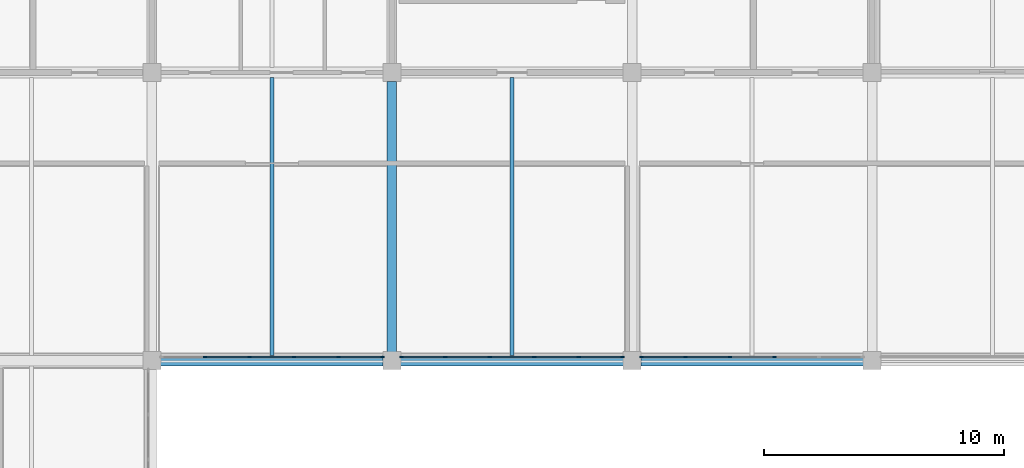
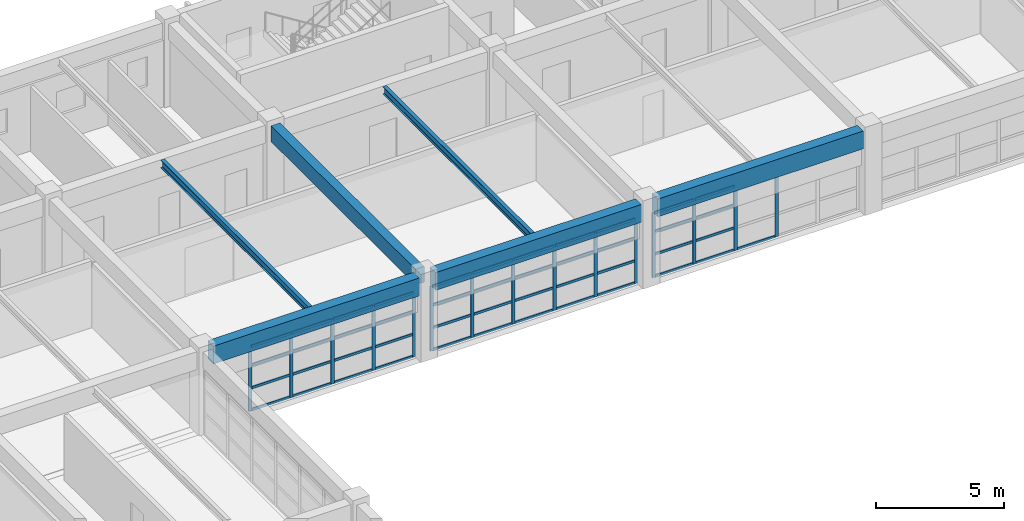
# One storey, part 38 of 83: 60 members, 6 beams, 3 elements without a shape of their own.
"""IFC4 building model written with IfcOpenShell, lengths in metres."""

import ifcopenshell
import ifcopenshell.guid

model = None  # the IFC model being written
_history = None  # IfcOwnerHistory: only IFC2X3 demands one
_inside = {}  # id of a spatial element -> (the spatial element, [elements in it])
_under = {}  # id of a project, library or spatial element -> (it, [spatial elements below it])
_declared = {}  # id of a project -> (the project, [libraries it declares])
_typed = {}  # id of a type object -> (the type object, [elements of that type])
_made_of = {}  # id of a material, layer set ... -> (it, [elements and type objects made of it])


def new_model(schema):
    """Start an empty IFC model of exactly this schema.

    Asked for "IFC4X3", IfcOpenShell would pick the latest addendum, in which some entities
    have other attributes; the version numbers below select the first issue.
    IFC2X3 requires an IfcOwnerHistory on every rooted entity: one is made here for all.
    """
    global model, _history
    if schema == "IFC4X3":
        model = ifcopenshell.file(schema_version=(4, 3, 0, 0))
    else:
        model = ifcopenshell.file(schema=schema)
    _inside.clear()
    _under.clear()
    _declared.clear()
    _typed.clear()
    _made_of.clear()
    _history = None
    if model.schema == "IFC2X3":
        org = make("IfcOrganization", Name="unknown")
        user = make(
            "IfcPersonAndOrganization",
            ThePerson=make("IfcPerson", FamilyName="unknown"),
            TheOrganization=org,
        )
        app = make(
            "IfcApplication",
            ApplicationDeveloper=org,
            Version="unknown",
            ApplicationFullName="unknown",
            ApplicationIdentifier="unknown",
        )
        _history = make(
            "IfcOwnerHistory",
            OwningUser=user,
            OwningApplication=app,
            ChangeAction="ADDED",
            CreationDate=0,
        )
    return model


def make(cls, **values):
    """One entity of the class cls with the attributes given. An attribute that is None is left unset."""
    return model.create_entity(
        cls, **{name: value for name, value in values.items() if value is not None}
    )


def rooted(cls, **values):
    """An entity with a GlobalId (a new one), such as an element, a storey or a relation."""
    return make(cls, GlobalId=ifcopenshell.guid.new(), OwnerHistory=_history, **values)


def si_unit(unit_type, name, prefix=None):
    """IfcSIUnit, for example si_unit("LENGTHUNIT", "METRE", prefix="MILLI")."""
    return make("IfcSIUnit", UnitType=unit_type, Prefix=prefix, Name=name)


def assignment(units):
    """IfcUnitAssignment: the units of a project."""
    return None if units is None else make("IfcUnitAssignment", Units=units)


def point(xyz):
    """IfcCartesianPoint."""
    return None if xyz is None else make("IfcCartesianPoint", Coordinates=xyz)


def direction(xyz):
    """IfcDirection."""
    return None if xyz is None else make("IfcDirection", DirectionRatios=xyz)


def frame(location, z_axis=None, x_axis=None):
    """IfcAxis2Placement3D, a coordinate frame: its origin and axes. An axis left out is left unset."""
    return make(
        "IfcAxis2Placement3D",
        Location=point(location),
        Axis=direction(z_axis),
        RefDirection=direction(x_axis),
    )


def frame_2d(location, x_axis=None):
    """IfcAxis2Placement2D, a coordinate frame in the plane: its origin and x axis."""
    return make(
        "IfcAxis2Placement2D", Location=point(location), RefDirection=direction(x_axis)
    )


def origin():
    """The frame at (0, 0, 0) with its axes left unset."""
    return frame((0.0, 0.0, 0.0))


def origin_2d():
    """The frame at (0, 0) in the plane with its x axis left unset."""
    return frame_2d((0.0, 0.0))


def place(relative_to, where):
    """IfcLocalPlacement: puts the frame where relative to a parent placement (None: the world)."""
    return make(
        "IfcLocalPlacement", PlacementRelTo=relative_to, RelativePlacement=where
    )


def context(
    kind, dimensions, precision=None, world=None, true_north=None, identifier=None
):
    """IfcGeometricRepresentationContext, for example the 3D "Model" context."""
    return make(
        "IfcGeometricRepresentationContext",
        ContextIdentifier=identifier,
        ContextType=kind,
        CoordinateSpaceDimension=dimensions,
        Precision=precision,
        WorldCoordinateSystem=world,
        TrueNorth=true_north,
    )


def subcontext(parent, identifier, kind, view, scale=None):
    """IfcGeometricRepresentationSubContext, for example "Body" below "Model"."""
    return make(
        "IfcGeometricRepresentationSubContext",
        ContextIdentifier=identifier,
        ContextType=kind,
        ParentContext=parent,
        TargetScale=scale,
        TargetView=view,
    )


def project(units=None, contexts=None):
    """IfcProject with its units and contexts."""
    return rooted(
        "IfcProject",
        Name="project",
        RepresentationContexts=contexts,
        UnitsInContext=assignment(units),
    )


def spatial(cls, under=None, at=None, **own):
    """A site, building, storey or space (cls), placed at a placement, below another one or the project."""
    s = rooted(cls, ObjectPlacement=at, **own)
    if under is not None:
        _under.setdefault(under.id(), (under, []))[1].append(s)
    return s


def profile(cls, at=None, kind="AREA", **sizes):
    """A parametric profile (cls). Its sizes go by their IFC names, for example OverallWidth=200.0."""
    return make(cls, ProfileType=kind, Position=at, **sizes)


def rectangle(**sizes):
    """IfcRectangleProfileDef."""
    return profile("IfcRectangleProfileDef", **sizes)


def i_section(**sizes):
    """IfcIShapeProfileDef."""
    return profile("IfcIShapeProfileDef", **sizes)


def extrude(swept, where, along, depth):
    """IfcExtrudedAreaSolid: the profile swept, set in the frame where, extruded along a direction by depth."""
    return make(
        "IfcExtrudedAreaSolid",
        SweptArea=swept,
        Position=where,
        ExtrudedDirection=direction(along),
        Depth=depth,
    )


def shape(context_of_items, identifier, shape_type, items):
    """IfcShapeRepresentation: the items that make up one representation, for example the "Body"."""
    return make(
        "IfcShapeRepresentation",
        ContextOfItems=context_of_items,
        RepresentationIdentifier=identifier,
        RepresentationType=shape_type,
        Items=items,
    )


def material(Name=None, Category=None):
    """IfcMaterial."""
    return make("IfcMaterial", Name=Name, Category=Category)


def layer(
    of_material, thickness, ventilated=None, Name=None, Category=None, Priority=None
):
    """IfcMaterialLayer: one layer of a wall or slab, of a material (None: an air gap)."""
    return make(
        "IfcMaterialLayer",
        Material=of_material,
        LayerThickness=thickness,
        IsVentilated=ventilated,
        Name=Name,
        Category=Category,
        Priority=Priority,
    )


def layer_set(layers, Name=None):
    """IfcMaterialLayerSet."""
    return make("IfcMaterialLayerSet", MaterialLayers=layers, LayerSetName=Name)


def material_profile(
    of_material, cross_section, Name=None, Category=None, Priority=None
):
    """IfcMaterialProfile: a cross section and its material."""
    return make(
        "IfcMaterialProfile",
        Name=Name,
        Material=of_material,
        Profile=cross_section,
        Priority=Priority,
        Category=Category,
    )


def profile_set(profiles, Name=None, composite=None):
    """IfcMaterialProfileSet."""
    return make(
        "IfcMaterialProfileSet",
        Name=Name,
        MaterialProfiles=profiles,
        CompositeProfile=composite,
    )


def made_of(thing, what):
    """Note that an element or type object is made of a material, layer set ...; save() writes the relation."""
    if what is not None:
        _made_of.setdefault(what.id(), (what, []))[1].append(thing)
    return thing


def type_object(cls, material=None, **own):
    """A type object (cls), such as IfcWallType, which elements share."""
    return made_of(rooted(cls, **own), material)


def element(
    cls,
    number,
    at=None,
    inside=None,
    cuts=None,
    type_object=None,
    material=None,
    context=None,
    identifier="Body",
    shape_type=None,
    held_by="IfcProductDefinitionShape",
    body=None,
    shapes=None,
    **own,
):
    """One element of the class cls, such as IfcWall. Its Tag is "e" and its number.

    at: its placement. inside: the storey or other place that contains it. cuts: it is an
    opening in that element (IfcRelVoidsElement). A single representation is given by context,
    identifier, shape_type and body (its items); several are given by shapes. held_by: the class
    of the entity that holds the representations. save() writes the other relations.
    """
    e = rooted(cls, Tag="e%d" % number, ObjectPlacement=at, **own)
    if body is not None:
        shapes = [shape(context, identifier, shape_type, body)]
    if shapes is not None:
        e.Representation = make(held_by, Representations=shapes)
    if inside is not None:
        _inside.setdefault(inside.id(), (inside, []))[1].append(e)
    if cuts is not None:
        rooted(
            "IfcRelVoidsElement", RelatingBuildingElement=cuts, RelatedOpeningElement=e
        )
    if type_object is not None:
        _typed.setdefault(type_object.id(), (type_object, []))[1].append(e)
    return made_of(e, material)


def aggregate(whole, parts):
    """IfcRelAggregates: a whole, such as a stair, and the parts it consists of."""
    return rooted("IfcRelAggregates", RelatingObject=whole, RelatedObjects=parts)


def save(model, path):
    """Write the relations noted so far, then the file.

    IfcRelAggregates (storeys below a building ...), IfcRelContainedInSpatialStructure (elements
    in a storey), IfcRelDefinesByType, IfcRelAssociatesMaterial and IfcRelDeclares: one each for
    every whole, place, type object, material and project.
    """
    for whole, parts in _under.values():
        aggregate(whole, parts)
    for where, things in _inside.values():
        rooted(
            "IfcRelContainedInSpatialStructure",
            RelatedElements=things,
            RelatingStructure=where,
        )
    for kind, things in _typed.values():
        rooted("IfcRelDefinesByType", RelatedObjects=things, RelatingType=kind)
    for what, things in _made_of.values():
        rooted("IfcRelAssociatesMaterial", RelatedObjects=things, RelatingMaterial=what)
    for by, libraries in _declared.values():
        rooted("IfcRelDeclares", RelatingContext=by, RelatedDefinitions=libraries)
    model.write(path)


model = new_model("IFC4")

# Units and contexts
model_context = context("Model", 3, precision=1e-05, world=origin(), true_north=direction((0.0, 1.0)))
body_context = subcontext(model_context, "Body", "Model", "MODEL_VIEW")
ifc_project = project(units=[si_unit("LENGTHUNIT", "METRE"), si_unit("AREAUNIT", "SQUARE_METRE"), si_unit("VOLUMEUNIT", "CUBIC_METRE"), si_unit("PLANEANGLEUNIT", "RADIAN"), si_unit("MASSUNIT", "GRAM", prefix="KILO")], contexts=[model_context])

# Site, building, storey
site_placement = place(None, origin())
site = spatial("IfcSite", under=ifc_project, at=site_placement, CompositionType="ELEMENT")
building_placement = place(site_placement, origin())
building = spatial("IfcBuilding", under=site, at=building_placement, Name="Kivolera Central Railway Station", CompositionType="ELEMENT")
storey_placement = place(building_placement, frame((0.0, 0.0, 14.39990234375)))
storey = spatial("IfcBuildingStorey", under=building, at=storey_placement, Name="L03", CompositionType="ELEMENT", Elevation=14.39990234375)

# Beams
ifc_material_1 = material(Name="Steel S355", Category="steel")
ifc_material_profile_1 = material_profile(ifc_material_1, i_section(OverallWidth=0.169921875, OverallDepth=0.360107421875, WebThickness=0.008056640625, FlangeThickness=0.0126953125, FilletRadius=0.01806640625, at=origin_2d()), Name="IPE 360")
ifc_profile_set_1 = profile_set([ifc_material_profile_1], Name="Steel S355")
beam_type_1 = type_object("IfcBeamType", Name="BM-JST-IPE360", PredefinedType="JOIST", material=ifc_profile_set_1)
for number, where, z_axis, x_axis, name in (
    (1, (143.0, 114.217041015625, 3.748046875), (0.0, 1.0, 0.0), (-1.0, 0.0, 0.0), "L03 Floor Joist 14-15/K-L"),
    (2, (153.0, 114.217041015625, 3.748046875), (0.0, 1.0, 0.0), (-1.0, 0.0, 0.0), "L03 Floor Joist 15-16/K-L"),
):
    element("IfcBeam", number, at=place(storey_placement, frame(where, z_axis=z_axis, x_axis=x_axis)), inside=storey, type_object=beam_type_1, Name=name, PredefinedType="JOIST", context=body_context, shape_type="SweptSolid", body=[
        extrude(i_section(OverallWidth=0.169921875, OverallDepth=0.360107421875, WebThickness=0.008056640625, FlangeThickness=0.0126953125, FilletRadius=0.01806640625, at=origin_2d()), origin(), (0.0, 0.0, 1.0), 11.56591796875),
    ])
ifc_material_2 = material(Name="Concrete C40/50", Category="concrete")
ifc_material_profile_2 = material_profile(ifc_material_2, rectangle(XDim=0.39990234375, YDim=0.75, at=origin_2d()), Name="RC 400x750")
ifc_profile_set_2 = profile_set([ifc_material_profile_2], Name="Concrete C40/50")
beam_type_2 = type_object("IfcBeamType", Name="BM-RC-400x750", PredefinedType="BEAM", material=ifc_profile_set_2)
beam_placement = place(storey_placement, frame((148.0, 114.366943359375, 3.565185546875), z_axis=(0.0, 1.0, 0.0), x_axis=(-1.0, 0.0, 0.0)))
element("IfcBeam", 3, at=beam_placement, inside=storey, type_object=beam_type_2, Name="L03 Wing Y-Beam 15:K-L", PredefinedType="BEAM", context=body_context, shape_type="SweptSolid", body=[
    extrude(rectangle(XDim=0.39990234375, YDim=0.75, at=origin_2d()), origin(), (0.0, 0.0, 1.0), 11.26611328125),
])
ifc_material_profile_3 = material_profile(ifc_material_2, rectangle(XDim=0.449951171875, YDim=0.85009765625, at=origin_2d()), Name="RC 450x850")
ifc_profile_set_3 = profile_set([ifc_material_profile_3], Name="Concrete C40/50")
beam_type_3 = type_object("IfcBeamType", Name="BM-RC-450x850", PredefinedType="BEAM", material=ifc_profile_set_3)
for number, where, z_axis, x_axis, name in (
    (4, (138.366943359375, 114.0, 3.51513671875), (1.0, 0.0, 0.0), (0.0, 1.0, 0.0), "L03 Wing X-Beam K:14-15"),
    (5, (148.366943359375, 114.0, 3.51513671875), (1.0, 0.0, 0.0), (0.0, 1.0, 0.0), "L03 Wing X-Beam K:15-16"),
    (6, (158.366943359375, 114.0, 3.51513671875), (1.0, 0.0, 0.0), (0.0, 1.0, 0.0), "L03 Wing X-Beam K:16-17"),
):
    element("IfcBeam", number, at=place(storey_placement, frame(where, z_axis=z_axis, x_axis=x_axis)), inside=storey, type_object=beam_type_3, Name=name, PredefinedType="BEAM", context=body_context, shape_type="SweptSolid", body=[
        extrude(rectangle(XDim=0.449951171875, YDim=0.85009765625, at=origin_2d()), origin(), (0.0, 0.0, 1.0), 9.26611328125),
    ])

# Curtain wall, members
ifc_material_3 = material(Name="Anodised aluminium", Category="aluminium")
ifc_layer = layer(ifc_material_3, 0.179931640625, Name="Anodised aluminium")
ifc_layer_set = layer_set([ifc_layer], Name="Anodised aluminium")
curtain_wall_type = type_object("IfcCurtainWallType", Name="CW-SYS-29", PredefinedType="NOTDEFINED", material=ifc_layer_set)
curtain_wall_1_placement = place(storey_placement, origin())
curtain_wall_1 = element("IfcCurtainWall", 7, at=curtain_wall_1_placement, inside=storey, type_object=curtain_wall_type, Name="L03 Curtain Wall CW-L03-CRTN-138", PredefinedType="NOTDEFINED")
ifc_material_profile_4 = material_profile(ifc_material_3, rectangle(XDim=0.06005859375, YDim=0.14990234375, at=origin_2d()), Name="ALU MULL 60x150")
ifc_profile_set_4 = profile_set([ifc_material_profile_4], Name="Anodised aluminium")
member_type_1 = type_object("IfcMemberType", Name="CWM-MUL-2", PredefinedType="MULLION", material=ifc_profile_set_4)
member_1_placement = place(storey_placement, frame((147.60009765625, 114.14501953125, -0.0048828125), z_axis=(0.0, 0.0, 1.0), x_axis=(0.0, -1.0, 0.0)))
member_1 = element("IfcMember", 8, at=member_1_placement, type_object=member_type_1, Name="CW-29 mullion 1", PredefinedType="MULLION", context=body_context, shape_type="SweptSolid", body=[
    extrude(rectangle(XDim=0.06005859375, YDim=0.14990234375, at=origin_2d()), origin(), (0.0, 0.0, 1.0), 3.0830078125),
])
member_2_placement = place(storey_placement, frame((145.778076171875, 114.14501953125, -0.0048828125), z_axis=(0.0, 0.0, 1.0), x_axis=(0.0, -1.0, 0.0)))
member_2 = element("IfcMember", 9, at=member_2_placement, type_object=member_type_1, Name="CW-29 mullion 2", PredefinedType="MULLION", context=body_context, shape_type="SweptSolid", body=[
    extrude(rectangle(XDim=0.06005859375, YDim=0.14990234375, at=origin_2d()), origin(), (0.0, 0.0, 1.0), 3.0830078125),
])
member_3_placement = place(storey_placement, frame((143.926025390625, 114.14501953125, -0.0048828125), z_axis=(0.0, 0.0, 1.0), x_axis=(0.0, -1.0, 0.0)))
member_3 = element("IfcMember", 10, at=member_3_placement, type_object=member_type_1, Name="CW-29 mullion 3", PredefinedType="MULLION", context=body_context, shape_type="SweptSolid", body=[
    extrude(rectangle(XDim=0.06005859375, YDim=0.14990234375, at=origin_2d()), origin(), (0.0, 0.0, 1.0), 3.0830078125),
])
member_4_placement = place(storey_placement, frame((142.073974609375, 114.14501953125, -0.0048828125), z_axis=(0.0, 0.0, 1.0), x_axis=(0.0, -1.0, 0.0)))
member_4 = element("IfcMember", 11, at=member_4_placement, type_object=member_type_1, Name="CW-29 mullion 4", PredefinedType="MULLION", context=body_context, shape_type="SweptSolid", body=[
    extrude(rectangle(XDim=0.06005859375, YDim=0.14990234375, at=origin_2d()), origin(), (0.0, 0.0, 1.0), 3.0830078125),
])
member_5_placement = place(storey_placement, frame((140.221923828125, 114.14501953125, -0.0048828125), z_axis=(0.0, 0.0, 1.0), x_axis=(0.0, -1.0, 0.0)))
member_5 = element("IfcMember", 12, at=member_5_placement, type_object=member_type_1, Name="CW-29 mullion 5", PredefinedType="MULLION", context=body_context, shape_type="SweptSolid", body=[
    extrude(rectangle(XDim=0.06005859375, YDim=0.14990234375, at=origin_2d()), origin(), (0.0, 0.0, 1.0), 3.0830078125),
])

curtain_wall_2_placement = place(storey_placement, origin())
curtain_wall_2 = element("IfcCurtainWall", 13, at=curtain_wall_2_placement, inside=storey, type_object=curtain_wall_type, Name="L03 Curtain Wall CW-L03-CRTN-148", PredefinedType="NOTDEFINED")
member_6_placement = place(storey_placement, frame((157.60009765625, 114.14501953125, -0.0048828125), z_axis=(0.0, 0.0, 1.0), x_axis=(0.0, -1.0, 0.0)))
member_6 = element("IfcMember", 14, at=member_6_placement, type_object=member_type_1, Name="CW-29 mullion 1", PredefinedType="MULLION", context=body_context, shape_type="SweptSolid", body=[
    extrude(rectangle(XDim=0.06005859375, YDim=0.14990234375, at=origin_2d()), origin(), (0.0, 0.0, 1.0), 3.0830078125),
])
member_7_placement = place(storey_placement, frame((155.778076171875, 114.14501953125, -0.0048828125), z_axis=(0.0, 0.0, 1.0), x_axis=(0.0, -1.0, 0.0)))
member_7 = element("IfcMember", 15, at=member_7_placement, type_object=member_type_1, Name="CW-29 mullion 2", PredefinedType="MULLION", context=body_context, shape_type="SweptSolid", body=[
    extrude(rectangle(XDim=0.06005859375, YDim=0.14990234375, at=origin_2d()), origin(), (0.0, 0.0, 1.0), 3.0830078125),
])
member_8_placement = place(storey_placement, frame((153.926025390625, 114.14501953125, -0.0048828125), z_axis=(0.0, 0.0, 1.0), x_axis=(0.0, -1.0, 0.0)))
member_8 = element("IfcMember", 16, at=member_8_placement, type_object=member_type_1, Name="CW-29 mullion 3", PredefinedType="MULLION", context=body_context, shape_type="SweptSolid", body=[
    extrude(rectangle(XDim=0.06005859375, YDim=0.14990234375, at=origin_2d()), origin(), (0.0, 0.0, 1.0), 3.0830078125),
])
member_9_placement = place(storey_placement, frame((152.073974609375, 114.14501953125, -0.0048828125), z_axis=(0.0, 0.0, 1.0), x_axis=(0.0, -1.0, 0.0)))
member_9 = element("IfcMember", 17, at=member_9_placement, type_object=member_type_1, Name="CW-29 mullion 4", PredefinedType="MULLION", context=body_context, shape_type="SweptSolid", body=[
    extrude(rectangle(XDim=0.06005859375, YDim=0.14990234375, at=origin_2d()), origin(), (0.0, 0.0, 1.0), 3.0830078125),
])
member_10_placement = place(storey_placement, frame((150.221923828125, 114.14501953125, -0.0048828125), z_axis=(0.0, 0.0, 1.0), x_axis=(0.0, -1.0, 0.0)))
member_10 = element("IfcMember", 18, at=member_10_placement, type_object=member_type_1, Name="CW-29 mullion 5", PredefinedType="MULLION", context=body_context, shape_type="SweptSolid", body=[
    extrude(rectangle(XDim=0.06005859375, YDim=0.14990234375, at=origin_2d()), origin(), (0.0, 0.0, 1.0), 3.0830078125),
])
member_11_placement = place(storey_placement, frame((148.39990234375, 114.14501953125, -0.0048828125), z_axis=(0.0, 0.0, 1.0), x_axis=(0.0, -1.0, 0.0)))
member_11 = element("IfcMember", 19, at=member_11_placement, type_object=member_type_1, Name="CW-29 mullion 6", PredefinedType="MULLION", context=body_context, shape_type="SweptSolid", body=[
    extrude(rectangle(XDim=0.06005859375, YDim=0.14990234375, at=origin_2d()), origin(), (0.0, 0.0, 1.0), 3.0830078125),
])

curtain_wall_3_placement = place(storey_placement, origin())
curtain_wall_3 = element("IfcCurtainWall", 20, at=curtain_wall_3_placement, inside=storey, type_object=curtain_wall_type, Name="L03 Curtain Wall CW-L03-CRTN-158", PredefinedType="NOTDEFINED")
member_12_placement = place(storey_placement, frame((163.926025390625, 114.14501953125, -0.0048828125), z_axis=(0.0, 0.0, 1.0), x_axis=(0.0, -1.0, 0.0)))
member_12 = element("IfcMember", 21, at=member_12_placement, type_object=member_type_1, Name="CW-29 mullion 3", PredefinedType="MULLION", context=body_context, shape_type="SweptSolid", body=[
    extrude(rectangle(XDim=0.06005859375, YDim=0.14990234375, at=origin_2d()), origin(), (0.0, 0.0, 1.0), 3.0830078125),
])
member_13_placement = place(storey_placement, frame((162.073974609375, 114.14501953125, -0.0048828125), z_axis=(0.0, 0.0, 1.0), x_axis=(0.0, -1.0, 0.0)))
member_13 = element("IfcMember", 22, at=member_13_placement, type_object=member_type_1, Name="CW-29 mullion 4", PredefinedType="MULLION", context=body_context, shape_type="SweptSolid", body=[
    extrude(rectangle(XDim=0.06005859375, YDim=0.14990234375, at=origin_2d()), origin(), (0.0, 0.0, 1.0), 3.0830078125),
])
member_14_placement = place(storey_placement, frame((160.221923828125, 114.14501953125, -0.0048828125), z_axis=(0.0, 0.0, 1.0), x_axis=(0.0, -1.0, 0.0)))
member_14 = element("IfcMember", 23, at=member_14_placement, type_object=member_type_1, Name="CW-29 mullion 5", PredefinedType="MULLION", context=body_context, shape_type="SweptSolid", body=[
    extrude(rectangle(XDim=0.06005859375, YDim=0.14990234375, at=origin_2d()), origin(), (0.0, 0.0, 1.0), 3.0830078125),
])
member_15_placement = place(storey_placement, frame((158.39990234375, 114.14501953125, -0.0048828125), z_axis=(0.0, 0.0, 1.0), x_axis=(0.0, -1.0, 0.0)))
member_15 = element("IfcMember", 24, at=member_15_placement, type_object=member_type_1, Name="CW-29 mullion 6", PredefinedType="MULLION", context=body_context, shape_type="SweptSolid", body=[
    extrude(rectangle(XDim=0.06005859375, YDim=0.14990234375, at=origin_2d()), origin(), (0.0, 0.0, 1.0), 3.0830078125),
])

# Member
ifc_material_profile_5 = material_profile(ifc_material_3, rectangle(XDim=0.06005859375, YDim=0.1201171875, at=origin_2d()), Name="ALU TRAN 60x120")
ifc_profile_set_5 = profile_set([ifc_material_profile_5], Name="Anodised aluminium")
member_type_2 = type_object("IfcMemberType", Name="CWM-TRN-2", PredefinedType="USERDEFINED", material=ifc_profile_set_5)
member_16_placement = place(storey_placement, frame((147.570068359375, 114.14501953125, 0.030029296875), z_axis=(-1.0, 0.0, 0.0), x_axis=(0.0, -1.0, 0.0)))
member_16 = element("IfcMember", 25, at=member_16_placement, type_object=member_type_2, Name="CW-29 transom 1.1", ObjectType="TRANSOM", PredefinedType="USERDEFINED", context=body_context, shape_type="SweptSolid", body=[
    extrude(rectangle(XDim=0.06005859375, YDim=0.1201171875, at=origin_2d()), origin(), (0.0, 0.0, 1.0), 1.761962890625),
])

member_17_placement = place(storey_placement, frame((147.570068359375, 114.14501953125, 1.077392578125), z_axis=(-1.0, 0.0, 0.0), x_axis=(0.0, -1.0, 0.0)))
member_17 = element("IfcMember", 26, at=member_17_placement, type_object=member_type_2, Name="CW-29 transom 1.2", ObjectType="TRANSOM", PredefinedType="USERDEFINED", context=body_context, shape_type="SweptSolid", body=[
    extrude(rectangle(XDim=0.06005859375, YDim=0.1201171875, at=origin_2d()), origin(), (0.0, 0.0, 1.0), 1.761962890625),
])

member_18_placement = place(storey_placement, frame((147.570068359375, 114.14501953125, 2.15478515625), z_axis=(-1.0, 0.0, 0.0), x_axis=(0.0, -1.0, 0.0)))
member_18 = element("IfcMember", 27, at=member_18_placement, type_object=member_type_2, Name="CW-29 transom 1.3", ObjectType="TRANSOM", PredefinedType="USERDEFINED", context=body_context, shape_type="SweptSolid", body=[
    extrude(rectangle(XDim=0.06005859375, YDim=0.1201171875, at=origin_2d()), origin(), (0.0, 0.0, 1.0), 1.761962890625),
])

member_19_placement = place(storey_placement, frame((147.570068359375, 114.14501953125, 3.048095703125), z_axis=(-1.0, 0.0, 0.0), x_axis=(0.0, -1.0, 0.0)))
member_19 = element("IfcMember", 28, at=member_19_placement, type_object=member_type_2, Name="CW-29 transom 1.4", ObjectType="TRANSOM", PredefinedType="USERDEFINED", context=body_context, shape_type="SweptSolid", body=[
    extrude(rectangle(XDim=0.06005859375, YDim=0.1201171875, at=origin_2d()), origin(), (0.0, 0.0, 1.0), 1.761962890625),
])

member_20_placement = place(storey_placement, frame((145.748046875, 114.14501953125, 0.030029296875), z_axis=(-1.0, 0.0, 0.0), x_axis=(0.0, -1.0, 0.0)))
member_20 = element("IfcMember", 29, at=member_20_placement, type_object=member_type_2, Name="CW-29 transom 2.1", ObjectType="TRANSOM", PredefinedType="USERDEFINED", context=body_context, shape_type="SweptSolid", body=[
    extrude(rectangle(XDim=0.06005859375, YDim=0.1201171875, at=origin_2d()), origin(), (0.0, 0.0, 1.0), 1.7919921875),
])

member_21_placement = place(storey_placement, frame((145.748046875, 114.14501953125, 1.077392578125), z_axis=(-1.0, 0.0, 0.0), x_axis=(0.0, -1.0, 0.0)))
member_21 = element("IfcMember", 30, at=member_21_placement, type_object=member_type_2, Name="CW-29 transom 2.2", ObjectType="TRANSOM", PredefinedType="USERDEFINED", context=body_context, shape_type="SweptSolid", body=[
    extrude(rectangle(XDim=0.06005859375, YDim=0.1201171875, at=origin_2d()), origin(), (0.0, 0.0, 1.0), 1.7919921875),
])

member_22_placement = place(storey_placement, frame((145.748046875, 114.14501953125, 2.15478515625), z_axis=(-1.0, 0.0, 0.0), x_axis=(0.0, -1.0, 0.0)))
member_22 = element("IfcMember", 31, at=member_22_placement, type_object=member_type_2, Name="CW-29 transom 2.3", ObjectType="TRANSOM", PredefinedType="USERDEFINED", context=body_context, shape_type="SweptSolid", body=[
    extrude(rectangle(XDim=0.06005859375, YDim=0.1201171875, at=origin_2d()), origin(), (0.0, 0.0, 1.0), 1.7919921875),
])

member_23_placement = place(storey_placement, frame((145.748046875, 114.14501953125, 3.048095703125), z_axis=(-1.0, 0.0, 0.0), x_axis=(0.0, -1.0, 0.0)))
member_23 = element("IfcMember", 32, at=member_23_placement, type_object=member_type_2, Name="CW-29 transom 2.4", ObjectType="TRANSOM", PredefinedType="USERDEFINED", context=body_context, shape_type="SweptSolid", body=[
    extrude(rectangle(XDim=0.06005859375, YDim=0.1201171875, at=origin_2d()), origin(), (0.0, 0.0, 1.0), 1.7919921875),
])

member_24_placement = place(storey_placement, frame((143.89599609375, 114.14501953125, 0.030029296875), z_axis=(-1.0, 0.0, 0.0), x_axis=(0.0, -1.0, 0.0)))
member_24 = element("IfcMember", 33, at=member_24_placement, type_object=member_type_2, Name="CW-29 transom 3.1", ObjectType="TRANSOM", PredefinedType="USERDEFINED", context=body_context, shape_type="SweptSolid", body=[
    extrude(rectangle(XDim=0.06005859375, YDim=0.1201171875, at=origin_2d()), origin(), (0.0, 0.0, 1.0), 1.7919921875),
])

member_25_placement = place(storey_placement, frame((143.89599609375, 114.14501953125, 1.077392578125), z_axis=(-1.0, 0.0, 0.0), x_axis=(0.0, -1.0, 0.0)))
member_25 = element("IfcMember", 34, at=member_25_placement, type_object=member_type_2, Name="CW-29 transom 3.2", ObjectType="TRANSOM", PredefinedType="USERDEFINED", context=body_context, shape_type="SweptSolid", body=[
    extrude(rectangle(XDim=0.06005859375, YDim=0.1201171875, at=origin_2d()), origin(), (0.0, 0.0, 1.0), 1.7919921875),
])

member_26_placement = place(storey_placement, frame((143.89599609375, 114.14501953125, 2.15478515625), z_axis=(-1.0, 0.0, 0.0), x_axis=(0.0, -1.0, 0.0)))
member_26 = element("IfcMember", 35, at=member_26_placement, type_object=member_type_2, Name="CW-29 transom 3.3", ObjectType="TRANSOM", PredefinedType="USERDEFINED", context=body_context, shape_type="SweptSolid", body=[
    extrude(rectangle(XDim=0.06005859375, YDim=0.1201171875, at=origin_2d()), origin(), (0.0, 0.0, 1.0), 1.7919921875),
])

member_27_placement = place(storey_placement, frame((143.89599609375, 114.14501953125, 3.048095703125), z_axis=(-1.0, 0.0, 0.0), x_axis=(0.0, -1.0, 0.0)))
member_27 = element("IfcMember", 36, at=member_27_placement, type_object=member_type_2, Name="CW-29 transom 3.4", ObjectType="TRANSOM", PredefinedType="USERDEFINED", context=body_context, shape_type="SweptSolid", body=[
    extrude(rectangle(XDim=0.06005859375, YDim=0.1201171875, at=origin_2d()), origin(), (0.0, 0.0, 1.0), 1.7919921875),
])

member_28_placement = place(storey_placement, frame((142.0439453125, 114.14501953125, 0.030029296875), z_axis=(-1.0, 0.0, 0.0), x_axis=(0.0, -1.0, 0.0)))
member_28 = element("IfcMember", 37, at=member_28_placement, type_object=member_type_2, Name="CW-29 transom 4.1", ObjectType="TRANSOM", PredefinedType="USERDEFINED", context=body_context, shape_type="SweptSolid", body=[
    extrude(rectangle(XDim=0.06005859375, YDim=0.1201171875, at=origin_2d()), origin(), (0.0, 0.0, 1.0), 1.7919921875),
])

member_29_placement = place(storey_placement, frame((142.0439453125, 114.14501953125, 1.077392578125), z_axis=(-1.0, 0.0, 0.0), x_axis=(0.0, -1.0, 0.0)))
member_29 = element("IfcMember", 38, at=member_29_placement, type_object=member_type_2, Name="CW-29 transom 4.2", ObjectType="TRANSOM", PredefinedType="USERDEFINED", context=body_context, shape_type="SweptSolid", body=[
    extrude(rectangle(XDim=0.06005859375, YDim=0.1201171875, at=origin_2d()), origin(), (0.0, 0.0, 1.0), 1.7919921875),
])

member_30_placement = place(storey_placement, frame((142.0439453125, 114.14501953125, 2.15478515625), z_axis=(-1.0, 0.0, 0.0), x_axis=(0.0, -1.0, 0.0)))
member_30 = element("IfcMember", 39, at=member_30_placement, type_object=member_type_2, Name="CW-29 transom 4.3", ObjectType="TRANSOM", PredefinedType="USERDEFINED", context=body_context, shape_type="SweptSolid", body=[
    extrude(rectangle(XDim=0.06005859375, YDim=0.1201171875, at=origin_2d()), origin(), (0.0, 0.0, 1.0), 1.7919921875),
])

member_31_placement = place(storey_placement, frame((142.0439453125, 114.14501953125, 3.048095703125), z_axis=(-1.0, 0.0, 0.0), x_axis=(0.0, -1.0, 0.0)))
member_31 = element("IfcMember", 40, at=member_31_placement, type_object=member_type_2, Name="CW-29 transom 4.4", ObjectType="TRANSOM", PredefinedType="USERDEFINED", context=body_context, shape_type="SweptSolid", body=[
    extrude(rectangle(XDim=0.06005859375, YDim=0.1201171875, at=origin_2d()), origin(), (0.0, 0.0, 1.0), 1.7919921875),
])

aggregate(curtain_wall_1, [member_1, member_2, member_3, member_4, member_5, member_16, member_17, member_18, member_19, member_20, member_21, member_22, member_23, member_24, member_25, member_26, member_27, member_28, member_29, member_30, member_31])

member_32_placement = place(storey_placement, frame((157.570068359375, 114.14501953125, 0.030029296875), z_axis=(-1.0, 0.0, 0.0), x_axis=(0.0, -1.0, 0.0)))
member_32 = element("IfcMember", 41, at=member_32_placement, type_object=member_type_2, Name="CW-29 transom 1.1", ObjectType="TRANSOM", PredefinedType="USERDEFINED", context=body_context, shape_type="SweptSolid", body=[
    extrude(rectangle(XDim=0.06005859375, YDim=0.1201171875, at=origin_2d()), origin(), (0.0, 0.0, 1.0), 1.761962890625),
])

member_33_placement = place(storey_placement, frame((157.570068359375, 114.14501953125, 1.077392578125), z_axis=(-1.0, 0.0, 0.0), x_axis=(0.0, -1.0, 0.0)))
member_33 = element("IfcMember", 42, at=member_33_placement, type_object=member_type_2, Name="CW-29 transom 1.2", ObjectType="TRANSOM", PredefinedType="USERDEFINED", context=body_context, shape_type="SweptSolid", body=[
    extrude(rectangle(XDim=0.06005859375, YDim=0.1201171875, at=origin_2d()), origin(), (0.0, 0.0, 1.0), 1.761962890625),
])

member_34_placement = place(storey_placement, frame((157.570068359375, 114.14501953125, 2.15478515625), z_axis=(-1.0, 0.0, 0.0), x_axis=(0.0, -1.0, 0.0)))
member_34 = element("IfcMember", 43, at=member_34_placement, type_object=member_type_2, Name="CW-29 transom 1.3", ObjectType="TRANSOM", PredefinedType="USERDEFINED", context=body_context, shape_type="SweptSolid", body=[
    extrude(rectangle(XDim=0.06005859375, YDim=0.1201171875, at=origin_2d()), origin(), (0.0, 0.0, 1.0), 1.761962890625),
])

member_35_placement = place(storey_placement, frame((157.570068359375, 114.14501953125, 3.048095703125), z_axis=(-1.0, 0.0, 0.0), x_axis=(0.0, -1.0, 0.0)))
member_35 = element("IfcMember", 44, at=member_35_placement, type_object=member_type_2, Name="CW-29 transom 1.4", ObjectType="TRANSOM", PredefinedType="USERDEFINED", context=body_context, shape_type="SweptSolid", body=[
    extrude(rectangle(XDim=0.06005859375, YDim=0.1201171875, at=origin_2d()), origin(), (0.0, 0.0, 1.0), 1.761962890625),
])

member_36_placement = place(storey_placement, frame((155.748046875, 114.14501953125, 0.030029296875), z_axis=(-1.0, 0.0, 0.0), x_axis=(0.0, -1.0, 0.0)))
member_36 = element("IfcMember", 45, at=member_36_placement, type_object=member_type_2, Name="CW-29 transom 2.1", ObjectType="TRANSOM", PredefinedType="USERDEFINED", context=body_context, shape_type="SweptSolid", body=[
    extrude(rectangle(XDim=0.06005859375, YDim=0.1201171875, at=origin_2d()), origin(), (0.0, 0.0, 1.0), 1.7919921875),
])

member_37_placement = place(storey_placement, frame((155.748046875, 114.14501953125, 1.077392578125), z_axis=(-1.0, 0.0, 0.0), x_axis=(0.0, -1.0, 0.0)))
member_37 = element("IfcMember", 46, at=member_37_placement, type_object=member_type_2, Name="CW-29 transom 2.2", ObjectType="TRANSOM", PredefinedType="USERDEFINED", context=body_context, shape_type="SweptSolid", body=[
    extrude(rectangle(XDim=0.06005859375, YDim=0.1201171875, at=origin_2d()), origin(), (0.0, 0.0, 1.0), 1.7919921875),
])

member_38_placement = place(storey_placement, frame((155.748046875, 114.14501953125, 2.15478515625), z_axis=(-1.0, 0.0, 0.0), x_axis=(0.0, -1.0, 0.0)))
member_38 = element("IfcMember", 47, at=member_38_placement, type_object=member_type_2, Name="CW-29 transom 2.3", ObjectType="TRANSOM", PredefinedType="USERDEFINED", context=body_context, shape_type="SweptSolid", body=[
    extrude(rectangle(XDim=0.06005859375, YDim=0.1201171875, at=origin_2d()), origin(), (0.0, 0.0, 1.0), 1.7919921875),
])

member_39_placement = place(storey_placement, frame((155.748046875, 114.14501953125, 3.048095703125), z_axis=(-1.0, 0.0, 0.0), x_axis=(0.0, -1.0, 0.0)))
member_39 = element("IfcMember", 48, at=member_39_placement, type_object=member_type_2, Name="CW-29 transom 2.4", ObjectType="TRANSOM", PredefinedType="USERDEFINED", context=body_context, shape_type="SweptSolid", body=[
    extrude(rectangle(XDim=0.06005859375, YDim=0.1201171875, at=origin_2d()), origin(), (0.0, 0.0, 1.0), 1.7919921875),
])

member_40_placement = place(storey_placement, frame((153.89599609375, 114.14501953125, 0.030029296875), z_axis=(-1.0, 0.0, 0.0), x_axis=(0.0, -1.0, 0.0)))
member_40 = element("IfcMember", 49, at=member_40_placement, type_object=member_type_2, Name="CW-29 transom 3.1", ObjectType="TRANSOM", PredefinedType="USERDEFINED", context=body_context, shape_type="SweptSolid", body=[
    extrude(rectangle(XDim=0.06005859375, YDim=0.1201171875, at=origin_2d()), origin(), (0.0, 0.0, 1.0), 1.7919921875),
])

member_41_placement = place(storey_placement, frame((153.89599609375, 114.14501953125, 1.077392578125), z_axis=(-1.0, 0.0, 0.0), x_axis=(0.0, -1.0, 0.0)))
member_41 = element("IfcMember", 50, at=member_41_placement, type_object=member_type_2, Name="CW-29 transom 3.2", ObjectType="TRANSOM", PredefinedType="USERDEFINED", context=body_context, shape_type="SweptSolid", body=[
    extrude(rectangle(XDim=0.06005859375, YDim=0.1201171875, at=origin_2d()), origin(), (0.0, 0.0, 1.0), 1.7919921875),
])

member_42_placement = place(storey_placement, frame((153.89599609375, 114.14501953125, 2.15478515625), z_axis=(-1.0, 0.0, 0.0), x_axis=(0.0, -1.0, 0.0)))
member_42 = element("IfcMember", 51, at=member_42_placement, type_object=member_type_2, Name="CW-29 transom 3.3", ObjectType="TRANSOM", PredefinedType="USERDEFINED", context=body_context, shape_type="SweptSolid", body=[
    extrude(rectangle(XDim=0.06005859375, YDim=0.1201171875, at=origin_2d()), origin(), (0.0, 0.0, 1.0), 1.7919921875),
])

member_43_placement = place(storey_placement, frame((153.89599609375, 114.14501953125, 3.048095703125), z_axis=(-1.0, 0.0, 0.0), x_axis=(0.0, -1.0, 0.0)))
member_43 = element("IfcMember", 52, at=member_43_placement, type_object=member_type_2, Name="CW-29 transom 3.4", ObjectType="TRANSOM", PredefinedType="USERDEFINED", context=body_context, shape_type="SweptSolid", body=[
    extrude(rectangle(XDim=0.06005859375, YDim=0.1201171875, at=origin_2d()), origin(), (0.0, 0.0, 1.0), 1.7919921875),
])

member_44_placement = place(storey_placement, frame((152.0439453125, 114.14501953125, 0.030029296875), z_axis=(-1.0, 0.0, 0.0), x_axis=(0.0, -1.0, 0.0)))
member_44 = element("IfcMember", 53, at=member_44_placement, type_object=member_type_2, Name="CW-29 transom 4.1", ObjectType="TRANSOM", PredefinedType="USERDEFINED", context=body_context, shape_type="SweptSolid", body=[
    extrude(rectangle(XDim=0.06005859375, YDim=0.1201171875, at=origin_2d()), origin(), (0.0, 0.0, 1.0), 1.7919921875),
])

member_45_placement = place(storey_placement, frame((152.0439453125, 114.14501953125, 1.077392578125), z_axis=(-1.0, 0.0, 0.0), x_axis=(0.0, -1.0, 0.0)))
member_45 = element("IfcMember", 54, at=member_45_placement, type_object=member_type_2, Name="CW-29 transom 4.2", ObjectType="TRANSOM", PredefinedType="USERDEFINED", context=body_context, shape_type="SweptSolid", body=[
    extrude(rectangle(XDim=0.06005859375, YDim=0.1201171875, at=origin_2d()), origin(), (0.0, 0.0, 1.0), 1.7919921875),
])

member_46_placement = place(storey_placement, frame((152.0439453125, 114.14501953125, 2.15478515625), z_axis=(-1.0, 0.0, 0.0), x_axis=(0.0, -1.0, 0.0)))
member_46 = element("IfcMember", 55, at=member_46_placement, type_object=member_type_2, Name="CW-29 transom 4.3", ObjectType="TRANSOM", PredefinedType="USERDEFINED", context=body_context, shape_type="SweptSolid", body=[
    extrude(rectangle(XDim=0.06005859375, YDim=0.1201171875, at=origin_2d()), origin(), (0.0, 0.0, 1.0), 1.7919921875),
])

member_47_placement = place(storey_placement, frame((152.0439453125, 114.14501953125, 3.048095703125), z_axis=(-1.0, 0.0, 0.0), x_axis=(0.0, -1.0, 0.0)))
member_47 = element("IfcMember", 56, at=member_47_placement, type_object=member_type_2, Name="CW-29 transom 4.4", ObjectType="TRANSOM", PredefinedType="USERDEFINED", context=body_context, shape_type="SweptSolid", body=[
    extrude(rectangle(XDim=0.06005859375, YDim=0.1201171875, at=origin_2d()), origin(), (0.0, 0.0, 1.0), 1.7919921875),
])

member_48_placement = place(storey_placement, frame((150.19189453125, 114.14501953125, 0.030029296875), z_axis=(-1.0, 0.0, 0.0), x_axis=(0.0, -1.0, 0.0)))
member_48 = element("IfcMember", 57, at=member_48_placement, type_object=member_type_2, Name="CW-29 transom 5.1", ObjectType="TRANSOM", PredefinedType="USERDEFINED", context=body_context, shape_type="SweptSolid", body=[
    extrude(rectangle(XDim=0.06005859375, YDim=0.1201171875, at=origin_2d()), origin(), (0.0, 0.0, 1.0), 1.761962890625),
])

member_49_placement = place(storey_placement, frame((150.19189453125, 114.14501953125, 1.077392578125), z_axis=(-1.0, 0.0, 0.0), x_axis=(0.0, -1.0, 0.0)))
member_49 = element("IfcMember", 58, at=member_49_placement, type_object=member_type_2, Name="CW-29 transom 5.2", ObjectType="TRANSOM", PredefinedType="USERDEFINED", context=body_context, shape_type="SweptSolid", body=[
    extrude(rectangle(XDim=0.06005859375, YDim=0.1201171875, at=origin_2d()), origin(), (0.0, 0.0, 1.0), 1.761962890625),
])

member_50_placement = place(storey_placement, frame((150.19189453125, 114.14501953125, 2.15478515625), z_axis=(-1.0, 0.0, 0.0), x_axis=(0.0, -1.0, 0.0)))
member_50 = element("IfcMember", 59, at=member_50_placement, type_object=member_type_2, Name="CW-29 transom 5.3", ObjectType="TRANSOM", PredefinedType="USERDEFINED", context=body_context, shape_type="SweptSolid", body=[
    extrude(rectangle(XDim=0.06005859375, YDim=0.1201171875, at=origin_2d()), origin(), (0.0, 0.0, 1.0), 1.761962890625),
])

member_51_placement = place(storey_placement, frame((150.19189453125, 114.14501953125, 3.048095703125), z_axis=(-1.0, 0.0, 0.0), x_axis=(0.0, -1.0, 0.0)))
member_51 = element("IfcMember", 60, at=member_51_placement, type_object=member_type_2, Name="CW-29 transom 5.4", ObjectType="TRANSOM", PredefinedType="USERDEFINED", context=body_context, shape_type="SweptSolid", body=[
    extrude(rectangle(XDim=0.06005859375, YDim=0.1201171875, at=origin_2d()), origin(), (0.0, 0.0, 1.0), 1.761962890625),
])

aggregate(curtain_wall_2, [member_6, member_7, member_8, member_9, member_10, member_11, member_32, member_33, member_34, member_35, member_36, member_37, member_38, member_39, member_40, member_41, member_42, member_43, member_44, member_45, member_46, member_47, member_48, member_49, member_50, member_51])

member_52_placement = place(storey_placement, frame((163.89599609375, 114.14501953125, 0.030029296875), z_axis=(-1.0, 0.0, 0.0), x_axis=(0.0, -1.0, 0.0)))
member_52 = element("IfcMember", 61, at=member_52_placement, type_object=member_type_2, Name="CW-29 transom 3.1", ObjectType="TRANSOM", PredefinedType="USERDEFINED", context=body_context, shape_type="SweptSolid", body=[
    extrude(rectangle(XDim=0.06005859375, YDim=0.1201171875, at=origin_2d()), origin(), (0.0, 0.0, 1.0), 1.7919921875),
])

member_53_placement = place(storey_placement, frame((162.0439453125, 114.14501953125, 0.030029296875), z_axis=(-1.0, 0.0, 0.0), x_axis=(0.0, -1.0, 0.0)))
member_53 = element("IfcMember", 62, at=member_53_placement, type_object=member_type_2, Name="CW-29 transom 4.1", ObjectType="TRANSOM", PredefinedType="USERDEFINED", context=body_context, shape_type="SweptSolid", body=[
    extrude(rectangle(XDim=0.06005859375, YDim=0.1201171875, at=origin_2d()), origin(), (0.0, 0.0, 1.0), 1.7919921875),
])

member_54_placement = place(storey_placement, frame((162.0439453125, 114.14501953125, 1.077392578125), z_axis=(-1.0, 0.0, 0.0), x_axis=(0.0, -1.0, 0.0)))
member_54 = element("IfcMember", 63, at=member_54_placement, type_object=member_type_2, Name="CW-29 transom 4.2", ObjectType="TRANSOM", PredefinedType="USERDEFINED", context=body_context, shape_type="SweptSolid", body=[
    extrude(rectangle(XDim=0.06005859375, YDim=0.1201171875, at=origin_2d()), origin(), (0.0, 0.0, 1.0), 1.7919921875),
])

member_55_placement = place(storey_placement, frame((162.0439453125, 114.14501953125, 2.15478515625), z_axis=(-1.0, 0.0, 0.0), x_axis=(0.0, -1.0, 0.0)))
member_55 = element("IfcMember", 64, at=member_55_placement, type_object=member_type_2, Name="CW-29 transom 4.3", ObjectType="TRANSOM", PredefinedType="USERDEFINED", context=body_context, shape_type="SweptSolid", body=[
    extrude(rectangle(XDim=0.06005859375, YDim=0.1201171875, at=origin_2d()), origin(), (0.0, 0.0, 1.0), 1.7919921875),
])

member_56_placement = place(storey_placement, frame((162.0439453125, 114.14501953125, 3.048095703125), z_axis=(-1.0, 0.0, 0.0), x_axis=(0.0, -1.0, 0.0)))
member_56 = element("IfcMember", 65, at=member_56_placement, type_object=member_type_2, Name="CW-29 transom 4.4", ObjectType="TRANSOM", PredefinedType="USERDEFINED", context=body_context, shape_type="SweptSolid", body=[
    extrude(rectangle(XDim=0.06005859375, YDim=0.1201171875, at=origin_2d()), origin(), (0.0, 0.0, 1.0), 1.7919921875),
])

member_57_placement = place(storey_placement, frame((160.19189453125, 114.14501953125, 0.030029296875), z_axis=(-1.0, 0.0, 0.0), x_axis=(0.0, -1.0, 0.0)))
member_57 = element("IfcMember", 66, at=member_57_placement, type_object=member_type_2, Name="CW-29 transom 5.1", ObjectType="TRANSOM", PredefinedType="USERDEFINED", context=body_context, shape_type="SweptSolid", body=[
    extrude(rectangle(XDim=0.06005859375, YDim=0.1201171875, at=origin_2d()), origin(), (0.0, 0.0, 1.0), 1.761962890625),
])

member_58_placement = place(storey_placement, frame((160.19189453125, 114.14501953125, 1.077392578125), z_axis=(-1.0, 0.0, 0.0), x_axis=(0.0, -1.0, 0.0)))
member_58 = element("IfcMember", 67, at=member_58_placement, type_object=member_type_2, Name="CW-29 transom 5.2", ObjectType="TRANSOM", PredefinedType="USERDEFINED", context=body_context, shape_type="SweptSolid", body=[
    extrude(rectangle(XDim=0.06005859375, YDim=0.1201171875, at=origin_2d()), origin(), (0.0, 0.0, 1.0), 1.761962890625),
])

member_59_placement = place(storey_placement, frame((160.19189453125, 114.14501953125, 2.15478515625), z_axis=(-1.0, 0.0, 0.0), x_axis=(0.0, -1.0, 0.0)))
member_59 = element("IfcMember", 68, at=member_59_placement, type_object=member_type_2, Name="CW-29 transom 5.3", ObjectType="TRANSOM", PredefinedType="USERDEFINED", context=body_context, shape_type="SweptSolid", body=[
    extrude(rectangle(XDim=0.06005859375, YDim=0.1201171875, at=origin_2d()), origin(), (0.0, 0.0, 1.0), 1.761962890625),
])

member_60_placement = place(storey_placement, frame((160.19189453125, 114.14501953125, 3.048095703125), z_axis=(-1.0, 0.0, 0.0), x_axis=(0.0, -1.0, 0.0)))
member_60 = element("IfcMember", 69, at=member_60_placement, type_object=member_type_2, Name="CW-29 transom 5.4", ObjectType="TRANSOM", PredefinedType="USERDEFINED", context=body_context, shape_type="SweptSolid", body=[
    extrude(rectangle(XDim=0.06005859375, YDim=0.1201171875, at=origin_2d()), origin(), (0.0, 0.0, 1.0), 1.761962890625),
])

aggregate(curtain_wall_3, [member_12, member_13, member_14, member_15, member_52, member_53, member_54, member_55, member_56, member_57, member_58, member_59, member_60])

save(model, "model.ifc")
